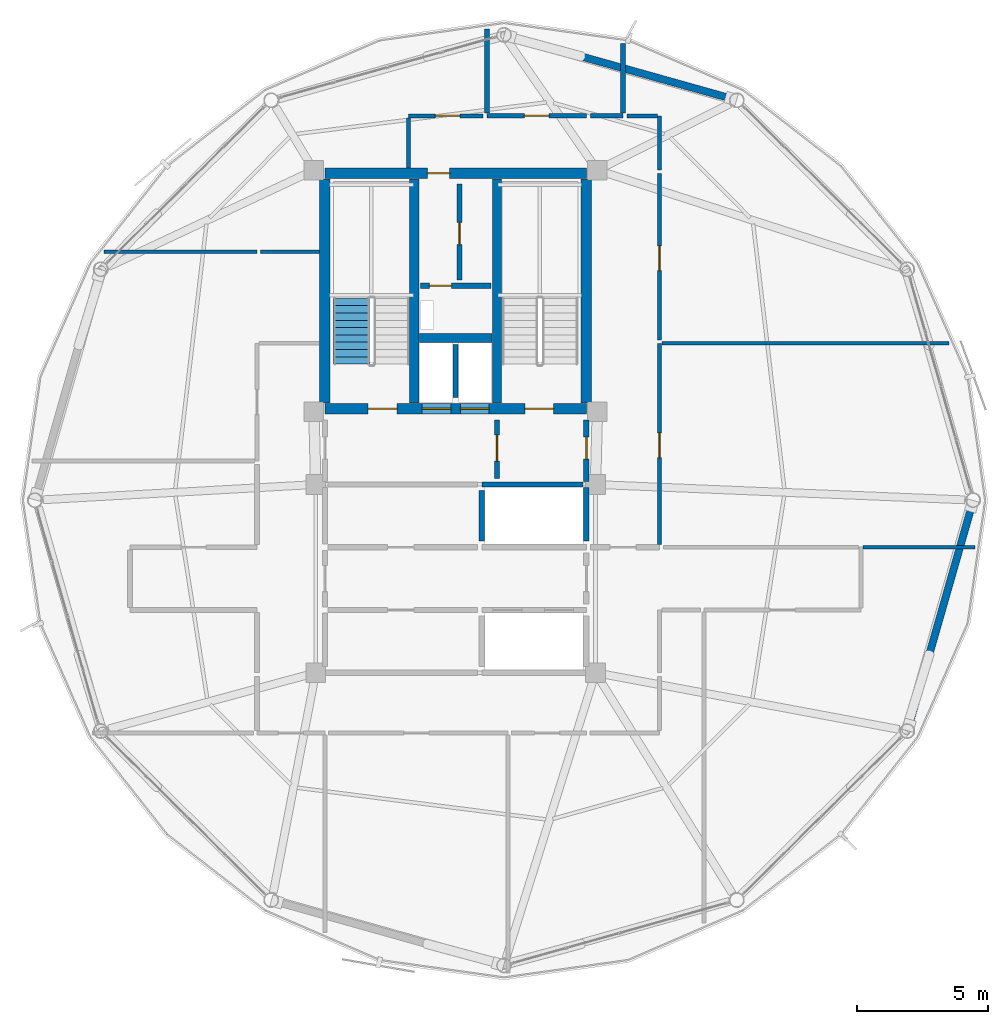
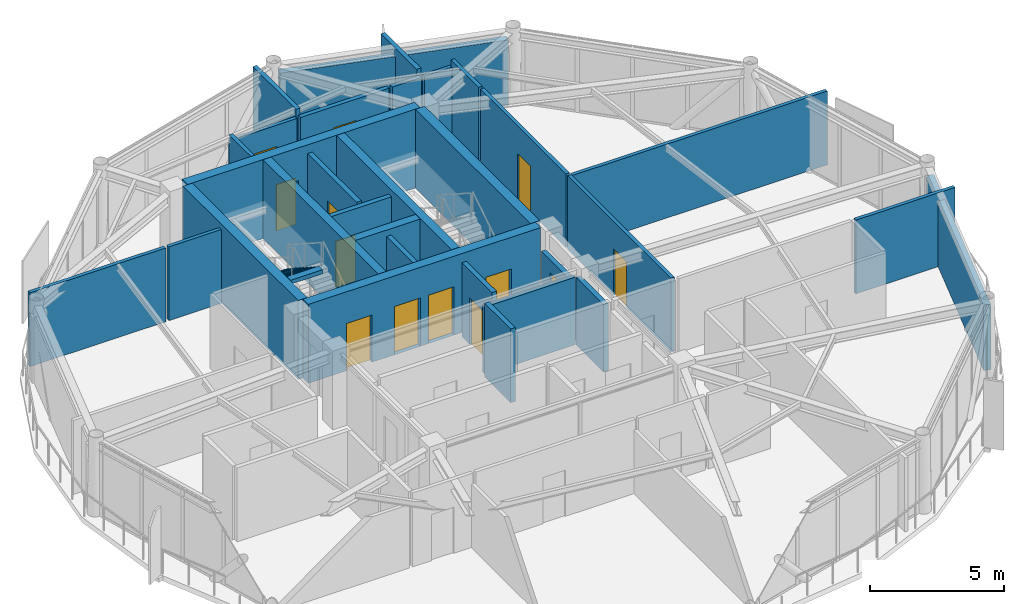
# One storey, part 20 of 25: 31 walls, 13 doors, 1 stair flight, 13 openings, 1 element without a shape of its own.
"""IFC4 building model written with IfcOpenShell, lengths in metres."""

from ifc_helpers import new_model, si_unit, direction, frame, frame_2d, origin, place, context, subcontext, project, spatial, polyline, rectangle, outline, extrude, material, layer, layer_set, type_object, element, fill, aggregate, save


model = new_model("IFC4")

# Units and contexts
model_context = context("Model", 3, precision=1e-05, world=origin(), true_north=direction((0.0, 1.0)))
body_context = subcontext(model_context, "Body", "Model", "MODEL_VIEW")
ifc_project = project(units=[si_unit("LENGTHUNIT", "METRE"), si_unit("AREAUNIT", "SQUARE_METRE"), si_unit("VOLUMEUNIT", "CUBIC_METRE"), si_unit("PLANEANGLEUNIT", "RADIAN"), si_unit("MASSUNIT", "GRAM", prefix="KILO")], contexts=[model_context])

# Site, building, storey
site_placement = place(None, origin())
site = spatial("IfcSite", under=ifc_project, at=site_placement, CompositionType="ELEMENT")
building_placement = place(site_placement, origin())
building = spatial("IfcBuilding", under=site, at=building_placement, Name="Varnakorn Sky Granary", CompositionType="ELEMENT")
storey_placement = place(building_placement, frame((0.0, 0.0, 277.800048828125)))
storey = spatial("IfcBuildingStorey", under=building, at=storey_placement, Name="L71", CompositionType="ELEMENT", Elevation=277.800048828125)

# Walls
ifc_material_1 = material(Name="Concrete C50/60", Category="concrete")
ifc_layer_1 = layer(ifc_material_1, 0.35009765625, Name="Concrete C50/60")
ifc_layer_set_1 = layer_set([ifc_layer_1], Name="Concrete C50/60")
wall_type_1 = type_object("IfcWallType", Name="WT-CW-INT-350", PredefinedType="SHEAR", material=ifc_layer_set_1)
for number, where, z_axis, x_axis, name in (
    (1, (1.419921875, 3.7099609375, 0.0), (0.0, 0.0, 1.0), (0.0, 1.0, 0.0), "Stair ST-1 Core Wall L71"),
    (2, (4.580078125, 3.7099609375, 0.0), (0.0, 0.0, 1.0), (0.0, 1.0, 0.0), "Stair ST-2 Core Wall L71"),
):
    element("IfcWall", number, at=place(storey_placement, frame(where, z_axis=z_axis, x_axis=x_axis)), inside=storey, type_object=wall_type_1, Name=name, PredefinedType="SHEAR", context=body_context, shape_type="SweptSolid", body=[
        extrude(rectangle(XDim=8.580078125, YDim=0.35009765625, at=frame_2d((4.2900390625, 0.0))), origin(), (0.0, 0.0, 1.0), 3.592041015625),
    ])
wall_1_placement = place(storey_placement, frame((1.610107421875, 6.199951171875, 0.0), z_axis=(0.0, 0.0, 1.0), x_axis=(1.0, 0.0, 0.0)))
element("IfcWall", 3, at=wall_1_placement, inside=storey, type_object=wall_type_1, Name="Core Lift Shaft Cross Wall L71", PredefinedType="SHEAR", context=body_context, shape_type="SweptSolid", body=[
    extrude(rectangle(XDim=2.77978515625, YDim=0.35009765625, at=frame_2d((1.389892578125, 0.0))), origin(), (0.0, 0.0, 1.0), 3.592041015625),
])

# Wall, openings, doors
ifc_layer_2 = layer(ifc_material_1, 0.39990234375, Name="Concrete C50/60")
ifc_layer_set_2 = layer_set([ifc_layer_2], Name="Concrete C50/60")
wall_type_2 = type_object("IfcWallType", Name="WT-CW-SHEAR-400", PredefinedType="SHEAR", material=ifc_layer_set_2)
wall_2_placement = place(storey_placement, frame((-2.0, 3.5, 0.0), z_axis=(0.0, 0.0, 1.0), x_axis=(1.0, 0.0, 0.0)))
wall_2 = element("IfcWall", 4, at=wall_2_placement, inside=storey, type_object=wall_type_2, Name="Core South Shear Wall L71", PredefinedType="SHEAR", context=body_context, shape_type="SweptSolid", body=[
    extrude(rectangle(XDim=10.0, YDim=0.39990234375, at=frame_2d((5.0, 0.0))), origin(), (0.0, 0.0, 1.0), 3.592041015625),
])
opening_1_placement = place(wall_2_placement, frame((1.64990234375, 0.0, 0.0)))
opening_1 = element("IfcOpeningElement", 5, at=opening_1_placement, cuts=wall_2, Name="Opening FD-90", PredefinedType="OPENING", context=body_context, shape_type="SweptSolid", body=[
    extrude(rectangle(XDim=1.10009765625, YDim=2.14990234375, at=frame_2d((0.550048828125, 1.074951171875))), frame((0.0, 0.2099609375, 0.0), z_axis=(0.0, -1.0, 0.0), x_axis=(1.0, 0.0, 0.0)), (0.0, 0.0, 1.0), 0.419921875),
])
opening_2_placement = place(wall_2_placement, frame((7.64990234375, 0.0, 0.0)))
opening_2 = element("IfcOpeningElement", 6, at=opening_2_placement, cuts=wall_2, Name="Opening FD-90", PredefinedType="OPENING", context=body_context, shape_type="SweptSolid", body=[
    extrude(rectangle(XDim=1.10009765625, YDim=2.14990234375, at=frame_2d((0.550048828125, 1.074951171875))), frame((0.0, 0.2099609375, 0.0), z_axis=(0.0, -1.0, 0.0), x_axis=(1.0, 0.0, 0.0)), (0.0, 0.0, 1.0), 0.419921875),
])
opening_3_placement = place(wall_2_placement, frame((3.719970703125, 0.0, 0.0)))
opening_3 = element("IfcOpeningElement", 7, at=opening_3_placement, cuts=wall_2, Name="Opening LD-01", PredefinedType="OPENING", context=body_context, shape_type="SweptSolid", body=[
    extrude(rectangle(XDim=1.10009765625, YDim=2.199951171875, at=frame_2d((0.550048828125, 1.10009765625))), frame((0.0, 0.2099609375, 0.0), z_axis=(0.0, -1.0, 0.0), x_axis=(1.0, 0.0, 0.0)), (0.0, 0.0, 1.0), 0.419921875),
])
opening_4_placement = place(wall_2_placement, frame((5.179931640625, 0.0, 0.0)))
opening_4 = element("IfcOpeningElement", 8, at=opening_4_placement, cuts=wall_2, Name="Opening LD-01", PredefinedType="OPENING", context=body_context, shape_type="SweptSolid", body=[
    extrude(rectangle(XDim=1.10009765625, YDim=2.199951171875, at=frame_2d((0.550048828125, 1.10009765625))), frame((0.0, 0.2099609375, 0.0), z_axis=(0.0, -1.0, 0.0), x_axis=(1.0, 0.0, 0.0)), (0.0, 0.0, 1.0), 0.419921875),
])
ifc_material_2 = material(Name="Brushed Bronze Stainless Steel", Category="steel")
door_type_1 = type_object("IfcDoorType", Name="DR-LD-1100", OperationType="DOUBLE_DOOR_SLIDING", PredefinedType="DOOR", material=ifc_material_2)
door_1_placement = place(opening_3_placement, origin())
door_1 = element("IfcDoor", 9, at=door_1_placement, inside=storey, type_object=door_type_1, Name="Firefighting Lift FFL-1 Landing Door L71", OperationType="DOUBLE_DOOR_SLIDING", OverallHeight=2.199951171875, OverallWidth=1.10009765625, PredefinedType="DOOR", context=body_context, shape_type="SweptSolid", body=[
    extrude(rectangle(XDim=1.10009765625, YDim=2.199951171875, at=frame_2d((0.550048828125, 1.10009765625))), frame((0.0, 0.02490234375, 0.0), z_axis=(0.0, -1.0, 0.0), x_axis=(1.0, 0.0, 0.0)), (0.0, 0.0, 1.0), 0.050048828125),
])
fill(opening_3, door_1)
door_2_placement = place(opening_4_placement, origin())
door_2 = element("IfcDoor", 10, at=door_2_placement, inside=storey, type_object=door_type_1, Name="Firefighting Lift FFL-2 Landing Door L71", OperationType="DOUBLE_DOOR_SLIDING", OverallHeight=2.199951171875, OverallWidth=1.10009765625, PredefinedType="DOOR", context=body_context, shape_type="SweptSolid", body=[
    extrude(rectangle(XDim=1.10009765625, YDim=2.199951171875, at=frame_2d((0.550048828125, 1.10009765625))), frame((0.0, 0.02490234375, 0.0), z_axis=(0.0, -1.0, 0.0), x_axis=(1.0, 0.0, 0.0)), (0.0, 0.0, 1.0), 0.050048828125),
])
fill(opening_4, door_2)
ifc_material_3 = material(Name="Galvanised Painted Steel Leaf", Category="steel")
door_type_2 = type_object("IfcDoorType", Name="DR-STAIR-1100", OperationType="NOTDEFINED", PredefinedType="DOOR", material=ifc_material_3)
door_3_placement = place(opening_1_placement, origin())
door_3 = element("IfcDoor", 11, at=door_3_placement, inside=storey, type_object=door_type_2, Name="Stair ST-1 Protected Fire Door L71", OperationType="SINGLE_SWING_LEFT", OverallHeight=2.14990234375, OverallWidth=1.10009765625, PredefinedType="DOOR", context=body_context, shape_type="SweptSolid", body=[
    extrude(rectangle(XDim=1.10009765625, YDim=2.14990234375, at=frame_2d((0.550048828125, 1.074951171875))), frame((0.0, 0.02490234375, 0.0), z_axis=(0.0, -1.0, 0.0), x_axis=(1.0, 0.0, 0.0)), (0.0, 0.0, 1.0), 0.050048828125),
])
fill(opening_1, door_3)
door_4_placement = place(opening_2_placement, origin())
door_4 = element("IfcDoor", 12, at=door_4_placement, inside=storey, type_object=door_type_2, Name="Stair ST-2 Protected Fire Door L71", OperationType="SINGLE_SWING_RIGHT", OverallHeight=2.14990234375, OverallWidth=1.10009765625, PredefinedType="DOOR", context=body_context, shape_type="SweptSolid", body=[
    extrude(rectangle(XDim=1.10009765625, YDim=2.14990234375, at=frame_2d((0.550048828125, 1.074951171875))), frame((0.0, 0.02490234375, 0.0), z_axis=(0.0, -1.0, 0.0), x_axis=(1.0, 0.0, 0.0)), (0.0, 0.0, 1.0), 0.050048828125),
])
fill(opening_2, door_4)

# Wall, opening, door
wall_3_placement = place(storey_placement, frame((-2.0, 12.5, 0.0), z_axis=(0.0, 0.0, 1.0), x_axis=(1.0, 0.0, 0.0)))
wall_3 = element("IfcWall", 13, at=wall_3_placement, inside=storey, type_object=wall_type_2, Name="Core North Shear Wall L71", PredefinedType="SHEAR", context=body_context, shape_type="SweptSolid", body=[
    extrude(rectangle(XDim=10.0, YDim=0.39990234375, at=frame_2d((5.0, 0.0))), origin(), (0.0, 0.0, 1.0), 3.592041015625),
])
opening_5_placement = place(wall_3_placement, frame((3.919921875, 0.0, 0.0)))
opening_5 = element("IfcOpeningElement", 14, at=opening_5_placement, cuts=wall_3, Name="Opening FD-60N", PredefinedType="OPENING", context=body_context, shape_type="SweptSolid", body=[
    extrude(rectangle(XDim=0.85009765625, YDim=2.10009765625, at=frame_2d((0.425048828125, 1.050048828125))), frame((0.0, 0.2099609375, 0.0), z_axis=(0.0, -1.0, 0.0), x_axis=(1.0, 0.0, 0.0)), (0.0, 0.0, 1.0), 0.419921875),
])
ifc_material_4 = material(Name="Acoustic Timber Fire Leaf", Category="wood")
door_type_3 = type_object("IfcDoorType", Name="DR-FD60-850", OperationType="NOTDEFINED", PredefinedType="DOOR", material=ifc_material_4)
door_5_placement = place(opening_5_placement, origin())
door_5 = element("IfcDoor", 15, at=door_5_placement, inside=storey, type_object=door_type_3, Name="Core North Service Door L71", OperationType="SINGLE_SWING_LEFT", OverallHeight=2.10009765625, OverallWidth=0.85009765625, PredefinedType="DOOR", context=body_context, shape_type="SweptSolid", body=[
    extrude(rectangle(XDim=0.85009765625, YDim=2.10009765625, at=frame_2d((0.425048828125, 1.050048828125))), frame((0.0, 0.02490234375, 0.0), z_axis=(0.0, -1.0, 0.0), x_axis=(1.0, 0.0, 0.0)), (0.0, 0.0, 1.0), 0.050048828125),
])
fill(opening_5, door_5)

# Walls
for number, where, z_axis, x_axis, name in (
    (16, (-2.0, 3.7099609375, 0.0), (0.0, 0.0, 1.0), (0.0, 1.0, 0.0), "Core West Shear Wall L71"),
    (17, (8.0, 3.7099609375, 0.0), (0.0, 0.0, 1.0), (0.0, 1.0, 0.0), "Core East Shear Wall L71"),
):
    element("IfcWall", number, at=place(storey_placement, frame(where, z_axis=z_axis, x_axis=x_axis)), inside=storey, type_object=wall_type_2, Name=name, PredefinedType="SHEAR", context=body_context, shape_type="SweptSolid", body=[
        extrude(rectangle(XDim=8.580078125, YDim=0.39990234375, at=frame_2d((4.2900390625, 0.0))), origin(), (0.0, 0.0, 1.0), 3.592041015625),
    ])
ifc_material_5 = material(Name="Precast concrete C40/50", Category="concrete")
ifc_layer_3 = layer(ifc_material_5, 0.280029296875, Name="Precast concrete C40/50")
ifc_layer_set_3 = layer_set([ifc_layer_3], Name="Precast concrete C40/50")
wall_type_3 = type_object("IfcWallType", Name="WT-EW-CRN-280", PredefinedType="SOLIDWALL", material=ifc_layer_set_3)
wall_4_placement = place(storey_placement, frame((5.07568359375, 17.738525390625, 0.0), z_axis=(0.0, 0.0, 1.0), x_axis=(0.962759966409, -0.270357628117, 0.0)))
element("IfcWall", 18, at=wall_4_placement, inside=storey, type_object=wall_type_3, Name="Agritech Insulated Precast Facade Wall L71-P03", PredefinedType="SOLIDWALL", context=body_context, shape_type="SweptSolid", body=[
    extrude(rectangle(XDim=8.78466796875, YDim=0.280029296875, at=frame_2d((4.392333984375, 0.0))), origin(), (0.0, 0.0, 1.0), 2.969970703125),
])
wall_5_placement = place(storey_placement, frame((22.738525390625, -0.2255859375, 0.0), z_axis=(0.0, 0.0, 1.0), x_axis=(-0.27454727202, -0.961573603749, 0.0)))
element("IfcWall", 19, at=wall_5_placement, inside=storey, type_object=wall_type_3, Name="Agritech Insulated Precast Facade Wall L71-P12", PredefinedType="SOLIDWALL", context=body_context, shape_type="SweptSolid", body=[
    extrude(rectangle(XDim=8.71728515625, YDim=0.280029296875, at=frame_2d((4.358642578125, 0.0))), origin(), (0.0, 0.0, 1.0), 2.969970703125),
])

# Wall, opening, door
ifc_material_6 = material(Name="Autoclaved Aerated Concrete Blockwork", Category="masonry")
ifc_layer_4 = layer(ifc_material_6, 0.199951171875, Name="Autoclaved Aerated Concrete Blockwork")
ifc_layer_set_4 = layer_set([ifc_layer_4], Name="Autoclaved Aerated Concrete Blockwork")
wall_type_4 = type_object("IfcWallType", Name="WT-FIRE-200", PredefinedType="MOVABLE", material=ifc_layer_set_4)
wall_6_placement = place(storey_placement, frame((1.64990234375, 8.199951171875, 0.0), z_axis=(0.0, 0.0, 1.0), x_axis=(1.0, 0.0, 0.0)))
wall_6 = element("IfcWall", 20, at=wall_6_placement, inside=storey, type_object=wall_type_4, Name="Interior Partition Wall L71-010", PredefinedType="MOVABLE", context=body_context, shape_type="SweptSolid", body=[
    extrude(rectangle(XDim=2.7001953125, YDim=0.199951171875, at=frame_2d((1.35009765625, 0.0))), origin(), (0.0, 0.0, 1.0), 3.35986328125),
])
opening_6_placement = place(wall_6_placement, frame((0.35009765625, 0.0, 0.0)))
opening_6 = element("IfcOpeningElement", 21, at=opening_6_placement, cuts=wall_6, Name="Opening FD-60N", PredefinedType="OPENING", context=body_context, shape_type="SweptSolid", body=[
    extrude(rectangle(XDim=0.85009765625, YDim=2.10009765625, at=frame_2d((0.425048828125, 1.050048828125))), frame((0.0, 0.10986328125, 0.0), z_axis=(0.0, -1.0, 0.0), x_axis=(1.0, 0.0, 0.0)), (0.0, 0.0, 1.0), 0.219970703125),
])
door_6_placement = place(opening_6_placement, origin())
door_6 = element("IfcDoor", 22, at=door_6_placement, inside=storey, type_object=door_type_3, Name="Interior Door L71-010-1", OperationType="SINGLE_SWING_LEFT", OverallHeight=2.10009765625, OverallWidth=0.85009765625, PredefinedType="DOOR", context=body_context, shape_type="SweptSolid", body=[
    extrude(rectangle(XDim=0.85009765625, YDim=2.10009765625, at=frame_2d((0.425048828125, 1.050048828125))), frame((0.0, 0.02490234375, 0.0), z_axis=(0.0, -1.0, 0.0), x_axis=(1.0, 0.0, 0.0)), (0.0, 0.0, 1.0), 0.050048828125),
])
fill(opening_6, door_6)

wall_7_placement = place(storey_placement, frame((3.14990234375, 8.429931640625, 0.0), z_axis=(0.0, 0.0, 1.0), x_axis=(0.0, 1.0, 0.0)))
wall_7 = element("IfcWall", 23, at=wall_7_placement, inside=storey, type_object=wall_type_4, Name="Interior Partition Wall L71-011", PredefinedType="MOVABLE", context=body_context, shape_type="SweptSolid", body=[
    extrude(rectangle(XDim=3.670166015625, YDim=0.199951171875, at=frame_2d((1.8349609375, 0.0))), origin(), (0.0, 0.0, 1.0), 3.35986328125),
])
opening_7_placement = place(wall_7_placement, frame((1.340087890625, 0.0, 0.0)))
opening_7 = element("IfcOpeningElement", 24, at=opening_7_placement, cuts=wall_7, Name="Opening FD-60N", PredefinedType="OPENING", context=body_context, shape_type="SweptSolid", body=[
    extrude(rectangle(XDim=0.85009765625, YDim=2.10009765625, at=frame_2d((0.425048828125, 1.050048828125))), frame((0.0, 0.10986328125, 0.0), z_axis=(0.0, -1.0, 0.0), x_axis=(1.0, 0.0, 0.0)), (0.0, 0.0, 1.0), 0.219970703125),
])
door_7_placement = place(opening_7_placement, origin())
door_7 = element("IfcDoor", 25, at=door_7_placement, inside=storey, type_object=door_type_3, Name="Interior Door L71-011-1", OperationType="SINGLE_SWING_RIGHT", OverallHeight=2.10009765625, OverallWidth=0.85009765625, PredefinedType="DOOR", context=body_context, shape_type="SweptSolid", body=[
    extrude(rectangle(XDim=0.85009765625, YDim=2.10009765625, at=frame_2d((0.425048828125, 1.050048828125))), frame((0.0, 0.02490234375, 0.0), z_axis=(0.0, -1.0, 0.0), x_axis=(1.0, 0.0, 0.0)), (0.0, 0.0, 1.0), 0.050048828125),
])
fill(opening_7, door_7)

wall_8_placement = place(storey_placement, frame((4.580078125, 0.830078125, 0.0), z_axis=(0.0, 0.0, 1.0), x_axis=(0.0, 1.0, 0.0)))
wall_8 = element("IfcWall", 26, at=wall_8_placement, inside=storey, type_object=wall_type_4, Name="Interior Partition Wall L71-012", PredefinedType="MOVABLE", context=body_context, shape_type="SweptSolid", body=[
    extrude(rectangle(XDim=2.239990234375, YDim=0.199951171875, at=frame_2d((1.1201171875, 0.0))), origin(), (0.0, 0.0, 1.0), 3.35986328125),
])
opening_8_placement = place(wall_8_placement, frame((0.659912109375, 0.0, 0.0)))
opening_8 = element("IfcOpeningElement", 27, at=opening_8_placement, cuts=wall_8, Name="Opening FD-60", PredefinedType="OPENING", context=body_context, shape_type="SweptSolid", body=[
    extrude(rectangle(XDim=1.0, YDim=2.10009765625, at=frame_2d((0.5, 1.050048828125))), frame((0.0, 0.10986328125, 0.0), z_axis=(0.0, -1.0, 0.0), x_axis=(1.0, 0.0, 0.0)), (0.0, 0.0, 1.0), 0.219970703125),
])
door_type_4 = type_object("IfcDoorType", Name="DR-FD60-1000", OperationType="NOTDEFINED", PredefinedType="DOOR", material=ifc_material_4)
door_8_placement = place(opening_8_placement, origin())
door_8 = element("IfcDoor", 28, at=door_8_placement, inside=storey, type_object=door_type_4, Name="Interior Door L71-012-1", OperationType="SINGLE_SWING_LEFT", OverallHeight=2.10009765625, OverallWidth=1.0, PredefinedType="DOOR", context=body_context, shape_type="SweptSolid", body=[
    extrude(rectangle(XDim=1.0, YDim=2.10009765625, at=frame_2d((0.5, 1.050048828125))), frame((0.0, 0.02490234375, 0.0), z_axis=(0.0, -1.0, 0.0), x_axis=(1.0, 0.0, 0.0)), (0.0, 0.0, 1.0), 0.050048828125),
])
fill(opening_8, door_8)

wall_9_placement = place(storey_placement, frame((8.0, 0.719970703125, 0.0), z_axis=(0.0, 0.0, 1.0), x_axis=(0.0, 1.0, 0.0)))
wall_9 = element("IfcWall", 29, at=wall_9_placement, inside=storey, type_object=wall_type_4, Name="Interior Partition Wall L71-014", PredefinedType="MOVABLE", context=body_context, shape_type="SweptSolid", body=[
    extrude(rectangle(XDim=2.35009765625, YDim=0.199951171875, at=frame_2d((1.175048828125, 0.0))), origin(), (0.0, 0.0, 1.0), 2.69189453125),
])
opening_9_placement = place(wall_9_placement, frame((0.844970703125, 0.0, 0.0)))
opening_9 = element("IfcOpeningElement", 30, at=opening_9_placement, cuts=wall_9, Name="Opening FD-60N", PredefinedType="OPENING", context=body_context, shape_type="SweptSolid", body=[
    extrude(rectangle(XDim=0.85009765625, YDim=2.10009765625, at=frame_2d((0.425048828125, 1.050048828125))), frame((0.0, 0.10986328125, 0.0), z_axis=(0.0, -1.0, 0.0), x_axis=(1.0, 0.0, 0.0)), (0.0, 0.0, 1.0), 0.219970703125),
])
door_9_placement = place(opening_9_placement, origin())
door_9 = element("IfcDoor", 31, at=door_9_placement, inside=storey, type_object=door_type_3, Name="Interior Door L71-014-1", OperationType="SINGLE_SWING_LEFT", OverallHeight=2.10009765625, OverallWidth=0.85009765625, PredefinedType="DOOR", context=body_context, shape_type="SweptSolid", body=[
    extrude(rectangle(XDim=0.85009765625, YDim=2.10009765625, at=frame_2d((0.425048828125, 1.050048828125))), frame((0.0, 0.02490234375, 0.0), z_axis=(0.0, -1.0, 0.0), x_axis=(1.0, 0.0, 0.0)), (0.0, 0.0, 1.0), 0.050048828125),
])
fill(opening_9, door_9)

ifc_material_7 = material(Name="Gypsum Plasterboard on Steel Stud", Category="steel")
ifc_layer_5 = layer(ifc_material_7, 0.14990234375, Name="Gypsum Plasterboard on Steel Stud")
ifc_layer_set_5 = layer_set([ifc_layer_5], Name="Gypsum Plasterboard on Steel Stud")
wall_type_5 = type_object("IfcWallType", Name="WT-PART-150", PredefinedType="PARTITIONING", material=ifc_layer_set_5)
wall_10_placement = place(storey_placement, frame((4.050048828125, 14.699951171875, 0.0), z_axis=(0.0, 0.0, 1.0), x_axis=(-1.0, 0.0, 0.0)))
wall_10 = element("IfcWall", 32, at=wall_10_placement, inside=storey, type_object=wall_type_5, Name="Interior Partition Wall L71-027", PredefinedType="PARTITIONING", context=body_context, shape_type="SweptSolid", body=[
    extrude(rectangle(XDim=2.85009765625, YDim=0.14990234375, at=frame_2d((1.425048828125, 0.0))), origin(), (0.0, 0.0, 1.0), 3.072021484375),
])
opening_10_placement = place(wall_10_placement, frame((0.875, 0.0, 0.0)))
opening_10 = element("IfcOpeningElement", 33, at=opening_10_placement, cuts=wall_10, Name="Opening ID-95", PredefinedType="OPENING", context=body_context, shape_type="SweptSolid", body=[
    extrude(rectangle(XDim=0.949951171875, YDim=2.10009765625, at=frame_2d((0.47509765625, 1.050048828125))), frame((0.0, 0.0849609375, 0.0), z_axis=(0.0, -1.0, 0.0), x_axis=(1.0, 0.0, 0.0)), (0.0, 0.0, 1.0), 0.169921875),
])
ifc_material_8 = material(Name="Solid-Core Teak Veneer Leaf", Category="timber")
door_type_5 = type_object("IfcDoorType", Name="DR-INT-950", OperationType="NOTDEFINED", PredefinedType="DOOR", material=ifc_material_8)
door_10_placement = place(opening_10_placement, origin())
door_10 = element("IfcDoor", 34, at=door_10_placement, inside=storey, type_object=door_type_5, Name="Interior Door L71-027-1", OperationType="SINGLE_SWING_RIGHT", OverallHeight=2.10009765625, OverallWidth=0.949951171875, PredefinedType="DOOR", context=body_context, shape_type="SweptSolid", body=[
    extrude(rectangle(XDim=0.949951171875, YDim=2.10009765625, at=frame_2d((0.47509765625, 1.050048828125))), frame((0.0, 0.02490234375, 0.0), z_axis=(0.0, -1.0, 0.0), x_axis=(1.0, 0.0, 0.0)), (0.0, 0.0, 1.0), 0.050048828125),
])
fill(opening_10, door_10)

wall_11_placement = place(storey_placement, frame((10.800048828125, -1.68994140625, 0.0), z_axis=(0.0, 0.0, 1.0), x_axis=(0.0, 1.0, 0.0)))
wall_11 = element("IfcWall", 35, at=wall_11_placement, inside=storey, type_object=wall_type_5, Name="Interior Partition Wall L71-028", PredefinedType="PARTITIONING", context=body_context, shape_type="SweptSolid", body=[
    extrude(rectangle(XDim=7.68994140625, YDim=0.14990234375, at=frame_2d((3.844970703125, 0.0))), origin(), (0.0, 0.0, 1.0), 3.35986328125),
])
opening_11_placement = place(wall_11_placement, frame((3.31494140625, 0.0, 0.0)))
opening_11 = element("IfcOpeningElement", 36, at=opening_11_placement, cuts=wall_11, Name="Opening ID-95", PredefinedType="OPENING", context=body_context, shape_type="SweptSolid", body=[
    extrude(rectangle(XDim=0.949951171875, YDim=2.10009765625, at=frame_2d((0.47509765625, 1.050048828125))), frame((0.0, 0.0849609375, 0.0), z_axis=(0.0, -1.0, 0.0), x_axis=(1.0, 0.0, 0.0)), (0.0, 0.0, 1.0), 0.169921875),
])
door_11_placement = place(opening_11_placement, origin())
door_11 = element("IfcDoor", 37, at=door_11_placement, inside=storey, type_object=door_type_5, Name="Interior Door L71-028-1", OperationType="SINGLE_SWING_LEFT", OverallHeight=2.10009765625, OverallWidth=0.949951171875, PredefinedType="DOOR", context=body_context, shape_type="SweptSolid", body=[
    extrude(rectangle(XDim=0.949951171875, YDim=2.10009765625, at=frame_2d((0.47509765625, 1.050048828125))), frame((0.0, 0.02490234375, 0.0), z_axis=(0.0, -1.0, 0.0), x_axis=(1.0, 0.0, 0.0)), (0.0, 0.0, 1.0), 0.050048828125),
])
fill(opening_11, door_11)

wall_12_placement = place(storey_placement, frame((10.800048828125, 6.135009765625, 0.0), z_axis=(0.0, 0.0, 1.0), x_axis=(0.0, 1.0, 0.0)))
wall_12 = element("IfcWall", 38, at=wall_12_placement, inside=storey, type_object=wall_type_5, Name="Interior Partition Wall L71-029", PredefinedType="PARTITIONING", context=body_context, shape_type="SweptSolid", body=[
    extrude(rectangle(XDim=6.364990234375, YDim=0.14990234375, at=frame_2d((3.1826171875, 0.0))), origin(), (0.0, 0.0, 1.0), 3.35986328125),
])
opening_12_placement = place(wall_12_placement, frame((2.639892578125, 0.0, 0.0)))
opening_12 = element("IfcOpeningElement", 39, at=opening_12_placement, cuts=wall_12, Name="Opening ID-95", PredefinedType="OPENING", context=body_context, shape_type="SweptSolid", body=[
    extrude(rectangle(XDim=0.949951171875, YDim=2.10009765625, at=frame_2d((0.47509765625, 1.050048828125))), frame((0.0, 0.0849609375, 0.0), z_axis=(0.0, -1.0, 0.0), x_axis=(1.0, 0.0, 0.0)), (0.0, 0.0, 1.0), 0.169921875),
])
door_12_placement = place(opening_12_placement, origin())
door_12 = element("IfcDoor", 40, at=door_12_placement, inside=storey, type_object=door_type_5, Name="Interior Door L71-029-1", OperationType="SINGLE_SWING_RIGHT", OverallHeight=2.10009765625, OverallWidth=0.949951171875, PredefinedType="DOOR", context=body_context, shape_type="SweptSolid", body=[
    extrude(rectangle(XDim=0.949951171875, YDim=2.10009765625, at=frame_2d((0.47509765625, 1.050048828125))), frame((0.0, 0.02490234375, 0.0), z_axis=(0.0, -1.0, 0.0), x_axis=(1.0, 0.0, 0.0)), (0.0, 0.0, 1.0), 0.050048828125),
])
fill(opening_12, door_12)

# Walls
wall_13_placement = place(storey_placement, frame((18.5849609375, -1.800048828125, 0.0), z_axis=(0.0, 0.0, 1.0), x_axis=(1.0, 0.0, 0.0)))
element("IfcWall", 41, at=wall_13_placement, inside=storey, type_object=wall_type_5, Name="Interior Partition Wall L71-044", PredefinedType="PARTITIONING", context=body_context, shape_type="SweptSolid", body=[
    extrude(rectangle(XDim=4.27197265625, YDim=0.14990234375, at=frame_2d((2.135986328125, 0.0))), origin(), (0.0, 0.0, 1.0), 3.35986328125),
])
wall_14_placement = place(storey_placement, frame((-10.446044921875, 9.5, 0.0), z_axis=(0.0, 0.0, 1.0), x_axis=(1.0, 0.0, 0.0)))
element("IfcWall", 42, at=wall_14_placement, inside=storey, type_object=wall_type_5, Name="Interior Partition Wall L71-052", PredefinedType="PARTITIONING", context=body_context, shape_type="SweptSolid", body=[
    extrude(rectangle(XDim=5.845947265625, YDim=0.14990234375, at=frame_2d((2.9228515625, 0.0))), origin(), (0.0, 0.0, 1.0), 3.35986328125),
])
wall_15_placement = place(storey_placement, frame((-4.465087890625, 9.5, 0.0), z_axis=(0.0, 0.0, 1.0), x_axis=(1.0, 0.0, 0.0)))
element("IfcWall", 43, at=wall_15_placement, inside=storey, type_object=wall_type_5, Name="Interior Partition Wall L71-053", PredefinedType="PARTITIONING", context=body_context, shape_type="SweptSolid", body=[
    extrude(rectangle(XDim=2.255126953125, YDim=0.14990234375, at=frame_2d((1.12744140625, 0.0))), origin(), (0.0, 0.0, 1.0), 3.35986328125),
])
wall_16_placement = place(storey_placement, frame((1.199951171875, 14.614990234375, 0.0), z_axis=(0.0, 0.0, 1.0), x_axis=(0.0, -1.0, 0.0)))
element("IfcWall", 44, at=wall_16_placement, inside=storey, type_object=wall_type_5, Name="Interior Partition Wall L71-054", PredefinedType="PARTITIONING", context=body_context, shape_type="SweptSolid", body=[
    extrude(rectangle(XDim=1.905029296875, YDim=0.14990234375, at=frame_2d((0.95263671875, 0.0))), origin(), (0.0, 0.0, 1.0), 3.35986328125),
])
wall_17_placement = place(storey_placement, frame((10.885009765625, 6.0, 0.0), z_axis=(0.0, 0.0, 1.0), x_axis=(1.0, 0.0, 0.0)))
element("IfcWall", 45, at=wall_17_placement, inside=storey, type_object=wall_type_5, Name="Interior Partition Wall L71-057", PredefinedType="PARTITIONING", context=body_context, shape_type="SweptSolid", body=[
    extrude(rectangle(XDim=10.97998046875, YDim=0.14990234375, at=frame_2d((5.489990234375, 0.0))), origin(), (0.0, 0.0, 1.0), 3.35986328125),
])
wall_18_placement = place(storey_placement, frame((10.800048828125, 12.635009765625, 0.0), z_axis=(0.0, 0.0, 1.0), x_axis=(0.0, 1.0, 0.0)))
element("IfcWall", 46, at=wall_18_placement, inside=storey, type_object=wall_type_5, Name="Interior Partition Wall L71-058", PredefinedType="PARTITIONING", context=body_context, shape_type="SweptSolid", body=[
    extrude(rectangle(XDim=2.06494140625, YDim=0.14990234375, at=frame_2d((1.032470703125, 0.0))), origin(), (0.0, 0.0, 1.0), 3.35986328125),
])
wall_19_placement = place(storey_placement, frame((10.715087890625, 14.699951171875, 0.0), z_axis=(0.0, 0.0, 1.0), x_axis=(-1.0, 0.0, 0.0)))
element("IfcWall", 47, at=wall_19_placement, inside=storey, type_object=wall_type_5, Name="Interior Partition Wall L71-059", PredefinedType="PARTITIONING", context=body_context, shape_type="SweptSolid", body=[
    extrude(rectangle(XDim=1.1650390625, YDim=0.14990234375, at=frame_2d((0.58251953125, 0.0))), origin(), (0.0, 0.0, 1.0), 3.072021484375),
])

# Wall, opening, door
ifc_material_9 = material(Name="Moisture-Resistant Gypsum on Stud", Category="gypsum")
ifc_layer_6 = layer(ifc_material_9, 0.179931640625, Name="Moisture-Resistant Gypsum on Stud")
ifc_layer_set_6 = layer_set([ifc_layer_6], Name="Moisture-Resistant Gypsum on Stud")
wall_type_6 = type_object("IfcWallType", Name="WT-PLUMB-180", PredefinedType="PLUMBINGWALL", material=ifc_layer_set_6)
wall_20_placement = place(storey_placement, frame((8.0, 14.699951171875, 0.0), z_axis=(0.0, 0.0, 1.0), x_axis=(-1.0, 0.0, 0.0)))
wall_20 = element("IfcWall", 48, at=wall_20_placement, inside=storey, type_object=wall_type_6, Name="Interior Partition Wall L71-020", PredefinedType="PLUMBINGWALL", context=body_context, shape_type="SweptSolid", body=[
    extrude(rectangle(XDim=3.800048828125, YDim=0.179931640625, at=frame_2d((1.89990234375, 0.0))), origin(), (0.0, 0.0, 1.0), 3.072021484375),
])
opening_13_placement = place(wall_20_placement, frame((1.425048828125, 0.0, 0.0)))
opening_13 = element("IfcOpeningElement", 49, at=opening_13_placement, cuts=wall_20, Name="Opening ID-95", PredefinedType="OPENING", context=body_context, shape_type="SweptSolid", body=[
    extrude(rectangle(XDim=0.949951171875, YDim=2.10009765625, at=frame_2d((0.47509765625, 1.050048828125))), frame((0.0, 0.10009765625, 0.0), z_axis=(0.0, -1.0, 0.0), x_axis=(1.0, 0.0, 0.0)), (0.0, 0.0, 1.0), 0.199951171875),
])
door_13_placement = place(opening_13_placement, origin())
door_13 = element("IfcDoor", 50, at=door_13_placement, inside=storey, type_object=door_type_5, Name="Interior Door L71-020-1", OperationType="SINGLE_SWING_LEFT", OverallHeight=2.10009765625, OverallWidth=0.949951171875, PredefinedType="DOOR", context=body_context, shape_type="SweptSolid", body=[
    extrude(rectangle(XDim=0.949951171875, YDim=2.10009765625, at=frame_2d((0.47509765625, 1.050048828125))), frame((0.0, 0.02490234375, 0.0), z_axis=(0.0, -1.0, 0.0), x_axis=(1.0, 0.0, 0.0)), (0.0, 0.0, 1.0), 0.050048828125),
])
fill(opening_13, door_13)

# Walls
wall_21_placement = place(storey_placement, frame((9.39990234375, 14.699951171875, 0.0), z_axis=(0.0, 0.0, 1.0), x_axis=(-1.0, 0.0, 0.0)))
element("IfcWall", 51, at=wall_21_placement, inside=storey, type_object=wall_type_6, Name="Interior Partition Wall L71-034", PredefinedType="PLUMBINGWALL", context=body_context, shape_type="SweptSolid", body=[
    extrude(rectangle(XDim=1.25, YDim=0.179931640625, at=frame_2d((0.625, 0.0))), origin(), (0.0, 0.0, 1.0), 3.072021484375),
])
wall_22_placement = place(storey_placement, frame((4.199951171875, 18.02099609375, 0.0), z_axis=(0.0, 0.0, 1.0), x_axis=(0.0, -1.0, 0.0)))
element("IfcWall", 52, at=wall_22_placement, inside=storey, type_object=wall_type_6, Name="Interior Partition Wall L71-055", PredefinedType="PLUMBINGWALL", context=body_context, shape_type="SweptSolid", body=[
    extrude(rectangle(XDim=3.220947265625, YDim=0.179931640625, at=frame_2d((1.6103515625, 0.0))), origin(), (0.0, 0.0, 1.0), 3.35986328125),
])
wall_23_placement = place(storey_placement, frame((9.39990234375, 14.800048828125, 0.0), z_axis=(0.0, 0.0, 1.0), x_axis=(0.0, 1.0, 0.0)))
element("IfcWall", 53, at=wall_23_placement, inside=storey, type_object=wall_type_6, Name="Interior Partition Wall L71-060", PredefinedType="PLUMBINGWALL", context=body_context, shape_type="SweptSolid", body=[
    extrude(rectangle(XDim=2.675048828125, YDim=0.179931640625, at=frame_2d((1.33740234375, 0.0))), origin(), (0.0, 0.0, 1.0), 3.35986328125),
])
ifc_layer_7 = layer(ifc_material_6, 0.199951171875, Name="Autoclaved Aerated Concrete Blockwork")
ifc_layer_set_7 = layer_set([ifc_layer_7], Name="Autoclaved Aerated Concrete Blockwork")
wall_type_7 = type_object("IfcWallType", Name="WT-SHAFT-200", PredefinedType="SOLIDWALL", material=ifc_layer_set_7)
wall_24_placement = place(storey_placement, frame((3.0, 3.919921875, 0.0), z_axis=(0.0, 0.0, 1.0), x_axis=(0.0, 1.0, 0.0)))
element("IfcWall", 54, at=wall_24_placement, inside=storey, type_object=wall_type_7, Name="Interior Partition Wall L71-001", PredefinedType="SOLIDWALL", context=body_context, shape_type="SweptSolid", body=[
    extrude(rectangle(XDim=2.030029296875, YDim=0.199951171875, at=frame_2d((1.01513671875, 0.0))), origin(), (0.0, 0.0, 1.0), 3.35986328125),
])
wall_25_placement = place(storey_placement, frame((4.0, 0.60009765625, 0.0), z_axis=(0.0, 0.0, 1.0), x_axis=(1.0, 0.0, 0.0)))
element("IfcWall", 55, at=wall_25_placement, inside=storey, type_object=wall_type_7, Name="Interior Partition Wall L71-002", PredefinedType="SOLIDWALL", context=body_context, shape_type="SweptSolid", body=[
    extrude(rectangle(XDim=3.8798828125, YDim=0.199951171875, at=frame_2d((1.93994140625, 0.0))), origin(), (0.0, 0.0, 1.0), 3.072021484375),
])
wall_26_placement = place(storey_placement, frame((4.0, -1.570068359375, 0.0), z_axis=(0.0, 0.0, 1.0), x_axis=(0.0, 1.0, 0.0)))
element("IfcWall", 56, at=wall_26_placement, inside=storey, type_object=wall_type_7, Name="Interior Partition Wall L71-004", PredefinedType="SOLIDWALL", context=body_context, shape_type="SweptSolid", body=[
    extrude(rectangle(XDim=1.940185546875, YDim=0.199951171875, at=frame_2d((0.97021484375, 0.0))), origin(), (0.0, 0.0, 1.0), 3.35986328125),
])
wall_27_placement = place(storey_placement, frame((8.0, -1.570068359375, 0.0), z_axis=(0.0, 0.0, 1.0), x_axis=(0.0, 1.0, 0.0)))
element("IfcWall", 57, at=wall_27_placement, inside=storey, type_object=wall_type_7, Name="Interior Partition Wall L71-005", PredefinedType="SOLIDWALL", context=body_context, shape_type="SweptSolid", body=[
    extrude(rectangle(XDim=2.050048828125, YDim=0.199951171875, at=frame_2d((1.02490234375, 0.0))), origin(), (0.0, 0.0, 1.0), 3.072021484375),
])

# Stair, stair flight
ifc_material_10 = material(Name="Concrete C40/50", Category="concrete")
stair_type = type_object("IfcStairType", Name="ST-MAIN-ASSEMBLY", PredefinedType="HALF_TURN_STAIR", material=ifc_material_10)
stair_placement = place(storey_placement, origin())
stair = element("IfcStair", 58, at=stair_placement, inside=storey, type_object=stair_type, Name="L71 Protected Exit Stair ST-1", PredefinedType="HALF_TURN_STAIR")
stair_flight_type = type_object("IfcStairFlightType", Name="ST-MAIN-FLIGHT", PredefinedType="STRAIGHT", material=ifc_material_10)
stair_flight_placement = place(storey_placement, frame((-0.97998046875, 7.719970703125, 1.800048828125), z_axis=(0.0, 0.0, 1.0), x_axis=(0.0, -1.0, 0.0)))
stair_flight = element("IfcStairFlight", 59, at=stair_flight_placement, type_object=stair_flight_type, Name="ST-1 flight 2", NumberOfRisers=10, NumberOfTreads=9, PredefinedType="STRAIGHT", RiserHeight=0.18, TreadLength=0.28, context=body_context, shape_type="SweptSolid", body=[
    extrude(outline(polyline([(0.0, -0.14990234375), (0.0, 0.0), (0.0, 0.179931640625), (0.280029296875, 0.179931640625), (0.280029296875, 0.360107421875), (0.56005859375, 0.360107421875), (0.56005859375, 0.5400390625), (0.840087890625, 0.5400390625), (0.840087890625, 0.719970703125), (1.1201171875, 0.719970703125), (1.1201171875, 0.89990234375), (1.39990234375, 0.89990234375), (1.39990234375, 1.080078125), (1.679931640625, 1.080078125), (1.679931640625, 1.260009765625), (1.9599609375, 1.260009765625), (1.9599609375, 1.43994140625), (2.239990234375, 1.43994140625), (2.239990234375, 1.6201171875), (2.52001953125, 1.6201171875), (2.52001953125, 1.800048828125), (2.52001953125, 1.44189453125), (0.050048828125, -0.14990234375), (0.0, -0.14990234375)])), frame((0.0, 0.68994140625, 0.0), z_axis=(0.0, -1.0, 0.0), x_axis=(1.0, 0.0, 0.0)), (0.0, 0.0, 1.0), 1.3798828125),
])
aggregate(stair, [stair_flight])

save(model, "model.ifc")
